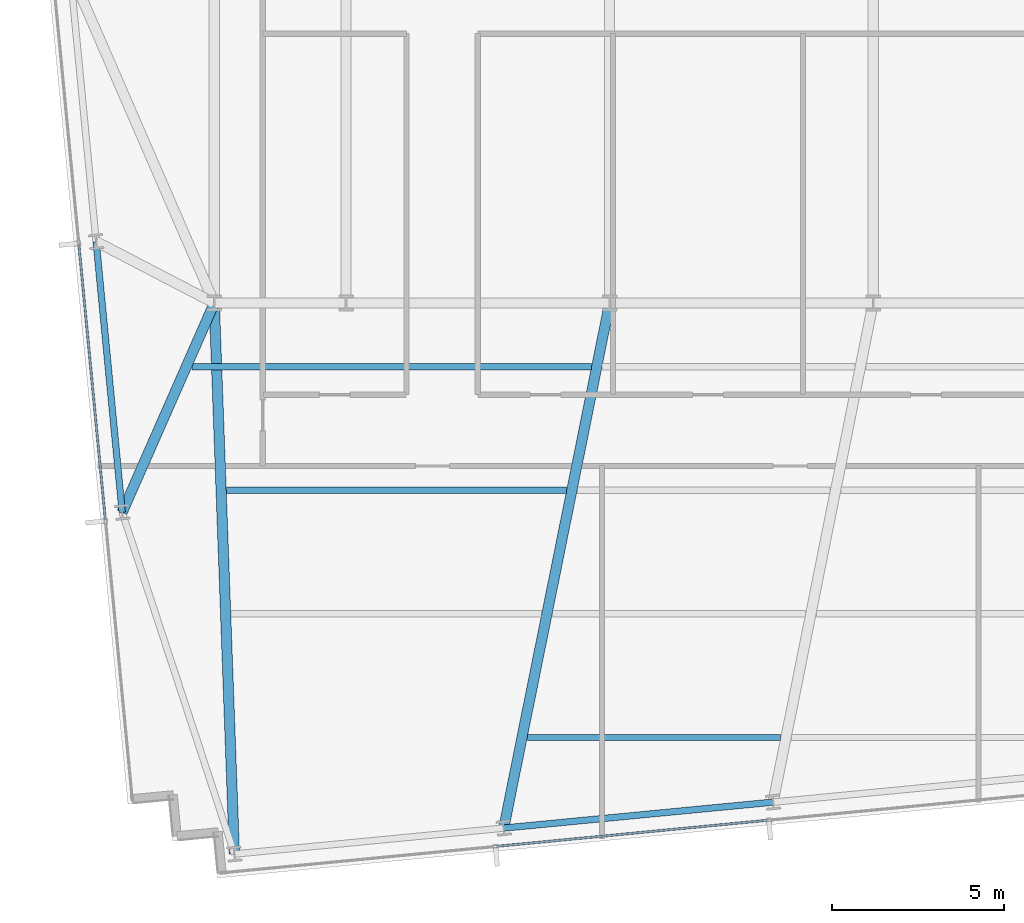
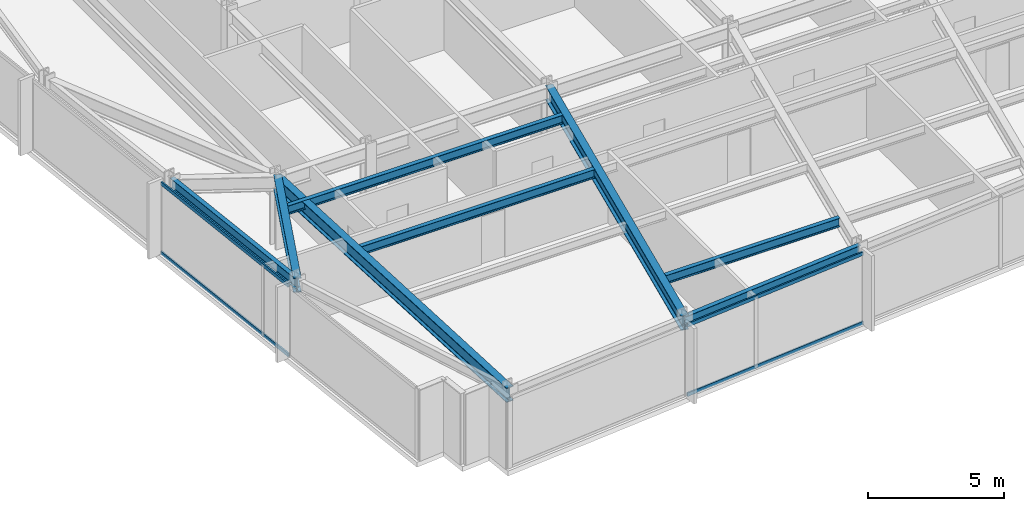
# One storey, part 3 of 33: 8 beams, 4 members, 2 elements without a shape of their own.
"""IFC4 building model written with IfcOpenShell, lengths in metres."""

import ifcopenshell
import ifcopenshell.guid

model = None  # the IFC model being written
_history = None  # IfcOwnerHistory: only IFC2X3 demands one
_inside = {}  # id of a spatial element -> (the spatial element, [elements in it])
_under = {}  # id of a project, library or spatial element -> (it, [spatial elements below it])
_declared = {}  # id of a project -> (the project, [libraries it declares])
_typed = {}  # id of a type object -> (the type object, [elements of that type])
_made_of = {}  # id of a material, layer set ... -> (it, [elements and type objects made of it])


def new_model(schema):
    """Start an empty IFC model of exactly this schema.

    Asked for "IFC4X3", IfcOpenShell would pick the latest addendum, in which some entities
    have other attributes; the version numbers below select the first issue.
    IFC2X3 requires an IfcOwnerHistory on every rooted entity: one is made here for all.
    """
    global model, _history
    if schema == "IFC4X3":
        model = ifcopenshell.file(schema_version=(4, 3, 0, 0))
    else:
        model = ifcopenshell.file(schema=schema)
    _inside.clear()
    _under.clear()
    _declared.clear()
    _typed.clear()
    _made_of.clear()
    _history = None
    if model.schema == "IFC2X3":
        org = make("IfcOrganization", Name="unknown")
        user = make(
            "IfcPersonAndOrganization",
            ThePerson=make("IfcPerson", FamilyName="unknown"),
            TheOrganization=org,
        )
        app = make(
            "IfcApplication",
            ApplicationDeveloper=org,
            Version="unknown",
            ApplicationFullName="unknown",
            ApplicationIdentifier="unknown",
        )
        _history = make(
            "IfcOwnerHistory",
            OwningUser=user,
            OwningApplication=app,
            ChangeAction="ADDED",
            CreationDate=0,
        )
    return model


def make(cls, **values):
    """One entity of the class cls with the attributes given. An attribute that is None is left unset."""
    return model.create_entity(
        cls, **{name: value for name, value in values.items() if value is not None}
    )


def rooted(cls, **values):
    """An entity with a GlobalId (a new one), such as an element, a storey or a relation."""
    return make(cls, GlobalId=ifcopenshell.guid.new(), OwnerHistory=_history, **values)


def si_unit(unit_type, name, prefix=None):
    """IfcSIUnit, for example si_unit("LENGTHUNIT", "METRE", prefix="MILLI")."""
    return make("IfcSIUnit", UnitType=unit_type, Prefix=prefix, Name=name)


def assignment(units):
    """IfcUnitAssignment: the units of a project."""
    return None if units is None else make("IfcUnitAssignment", Units=units)


def point(xyz):
    """IfcCartesianPoint."""
    return None if xyz is None else make("IfcCartesianPoint", Coordinates=xyz)


def direction(xyz):
    """IfcDirection."""
    return None if xyz is None else make("IfcDirection", DirectionRatios=xyz)


def frame(location, z_axis=None, x_axis=None):
    """IfcAxis2Placement3D, a coordinate frame: its origin and axes. An axis left out is left unset."""
    return make(
        "IfcAxis2Placement3D",
        Location=point(location),
        Axis=direction(z_axis),
        RefDirection=direction(x_axis),
    )


def frame_2d(location, x_axis=None):
    """IfcAxis2Placement2D, a coordinate frame in the plane: its origin and x axis."""
    return make(
        "IfcAxis2Placement2D", Location=point(location), RefDirection=direction(x_axis)
    )


def origin():
    """The frame at (0, 0, 0) with its axes left unset."""
    return frame((0.0, 0.0, 0.0))


def origin_2d():
    """The frame at (0, 0) in the plane with its x axis left unset."""
    return frame_2d((0.0, 0.0))


def place(relative_to, where):
    """IfcLocalPlacement: puts the frame where relative to a parent placement (None: the world)."""
    return make(
        "IfcLocalPlacement", PlacementRelTo=relative_to, RelativePlacement=where
    )


def context(
    kind, dimensions, precision=None, world=None, true_north=None, identifier=None
):
    """IfcGeometricRepresentationContext, for example the 3D "Model" context."""
    return make(
        "IfcGeometricRepresentationContext",
        ContextIdentifier=identifier,
        ContextType=kind,
        CoordinateSpaceDimension=dimensions,
        Precision=precision,
        WorldCoordinateSystem=world,
        TrueNorth=true_north,
    )


def subcontext(parent, identifier, kind, view, scale=None):
    """IfcGeometricRepresentationSubContext, for example "Body" below "Model"."""
    return make(
        "IfcGeometricRepresentationSubContext",
        ContextIdentifier=identifier,
        ContextType=kind,
        ParentContext=parent,
        TargetScale=scale,
        TargetView=view,
    )


def project(units=None, contexts=None):
    """IfcProject with its units and contexts."""
    return rooted(
        "IfcProject",
        Name="project",
        RepresentationContexts=contexts,
        UnitsInContext=assignment(units),
    )


def spatial(cls, under=None, at=None, **own):
    """A site, building, storey or space (cls), placed at a placement, below another one or the project."""
    s = rooted(cls, ObjectPlacement=at, **own)
    if under is not None:
        _under.setdefault(under.id(), (under, []))[1].append(s)
    return s


def profile(cls, at=None, kind="AREA", **sizes):
    """A parametric profile (cls). Its sizes go by their IFC names, for example OverallWidth=200.0."""
    return make(cls, ProfileType=kind, Position=at, **sizes)


def hollow_rectangle(**sizes):
    """IfcRectangleHollowProfileDef."""
    return profile("IfcRectangleHollowProfileDef", **sizes)


def i_section(**sizes):
    """IfcIShapeProfileDef."""
    return profile("IfcIShapeProfileDef", **sizes)


def extrude(swept, where, along, depth):
    """IfcExtrudedAreaSolid: the profile swept, set in the frame where, extruded along a direction by depth."""
    return make(
        "IfcExtrudedAreaSolid",
        SweptArea=swept,
        Position=where,
        ExtrudedDirection=direction(along),
        Depth=depth,
    )


def shape(context_of_items, identifier, shape_type, items):
    """IfcShapeRepresentation: the items that make up one representation, for example the "Body"."""
    return make(
        "IfcShapeRepresentation",
        ContextOfItems=context_of_items,
        RepresentationIdentifier=identifier,
        RepresentationType=shape_type,
        Items=items,
    )


def material(Name=None, Category=None):
    """IfcMaterial."""
    return make("IfcMaterial", Name=Name, Category=Category)


def material_profile(
    of_material, cross_section, Name=None, Category=None, Priority=None
):
    """IfcMaterialProfile: a cross section and its material."""
    return make(
        "IfcMaterialProfile",
        Name=Name,
        Material=of_material,
        Profile=cross_section,
        Priority=Priority,
        Category=Category,
    )


def profile_set(profiles, Name=None, composite=None):
    """IfcMaterialProfileSet."""
    return make(
        "IfcMaterialProfileSet",
        Name=Name,
        MaterialProfiles=profiles,
        CompositeProfile=composite,
    )


def made_of(thing, what):
    """Note that an element or type object is made of a material, layer set ...; save() writes the relation."""
    if what is not None:
        _made_of.setdefault(what.id(), (what, []))[1].append(thing)
    return thing


def type_object(cls, material=None, **own):
    """A type object (cls), such as IfcWallType, which elements share."""
    return made_of(rooted(cls, **own), material)


def element(
    cls,
    number,
    at=None,
    inside=None,
    cuts=None,
    type_object=None,
    material=None,
    context=None,
    identifier="Body",
    shape_type=None,
    held_by="IfcProductDefinitionShape",
    body=None,
    shapes=None,
    **own,
):
    """One element of the class cls, such as IfcWall. Its Tag is "e" and its number.

    at: its placement. inside: the storey or other place that contains it. cuts: it is an
    opening in that element (IfcRelVoidsElement). A single representation is given by context,
    identifier, shape_type and body (its items); several are given by shapes. held_by: the class
    of the entity that holds the representations. save() writes the other relations.
    """
    e = rooted(cls, Tag="e%d" % number, ObjectPlacement=at, **own)
    if body is not None:
        shapes = [shape(context, identifier, shape_type, body)]
    if shapes is not None:
        e.Representation = make(held_by, Representations=shapes)
    if inside is not None:
        _inside.setdefault(inside.id(), (inside, []))[1].append(e)
    if cuts is not None:
        rooted(
            "IfcRelVoidsElement", RelatingBuildingElement=cuts, RelatedOpeningElement=e
        )
    if type_object is not None:
        _typed.setdefault(type_object.id(), (type_object, []))[1].append(e)
    return made_of(e, material)


def aggregate(whole, parts):
    """IfcRelAggregates: a whole, such as a stair, and the parts it consists of."""
    return rooted("IfcRelAggregates", RelatingObject=whole, RelatedObjects=parts)


def save(model, path):
    """Write the relations noted so far, then the file.

    IfcRelAggregates (storeys below a building ...), IfcRelContainedInSpatialStructure (elements
    in a storey), IfcRelDefinesByType, IfcRelAssociatesMaterial and IfcRelDeclares: one each for
    every whole, place, type object, material and project.
    """
    for whole, parts in _under.values():
        aggregate(whole, parts)
    for where, things in _inside.values():
        rooted(
            "IfcRelContainedInSpatialStructure",
            RelatedElements=things,
            RelatingStructure=where,
        )
    for kind, things in _typed.values():
        rooted("IfcRelDefinesByType", RelatedObjects=things, RelatingType=kind)
    for what, things in _made_of.values():
        rooted("IfcRelAssociatesMaterial", RelatedObjects=things, RelatingMaterial=what)
    for by, libraries in _declared.values():
        rooted("IfcRelDeclares", RelatingContext=by, RelatedDefinitions=libraries)
    model.write(path)


model = new_model("IFC4")

# Units and contexts
model_context = context("Model", 3, precision=1e-05, world=origin(), true_north=direction((0.0, 1.0)))
body_context = subcontext(model_context, "Body", "Model", "MODEL_VIEW")
ifc_project = project(units=[si_unit("LENGTHUNIT", "METRE"), si_unit("AREAUNIT", "SQUARE_METRE"), si_unit("VOLUMEUNIT", "CUBIC_METRE"), si_unit("PLANEANGLEUNIT", "RADIAN"), si_unit("MASSUNIT", "GRAM", prefix="KILO")], contexts=[model_context])

# Site, building, storey
site_placement = place(None, origin())
site = spatial("IfcSite", under=ifc_project, at=site_placement, CompositionType="ELEMENT")
building_placement = place(site_placement, origin())
building = spatial("IfcBuilding", under=site, at=building_placement, Name="Yelkora Congress Tower", CompositionType="ELEMENT")
storey_placement = place(building_placement, frame((0.0, 0.0, 127.10009765625)))
storey = spatial("IfcBuildingStorey", under=building, at=storey_placement, Name="L34", CompositionType="ELEMENT", Elevation=127.10009765625)

# Beams
ifc_material_1 = material(Name="Steel S355J2", Category="steel")
ifc_material_profile_1 = material_profile(ifc_material_1, i_section(OverallWidth=0.300048828125, OverallDepth=0.64990234375, WebThickness=0.01611328125, FlangeThickness=0.031005859375, FilletRadius=0.027099609375, at=origin_2d()), Name="HEB 650")
ifc_profile_set_1 = profile_set([ifc_material_profile_1], Name="Steel S355J2")
beam_type_1 = type_object("IfcBeamType", Name="BM-GIRD-HEB650", PredefinedType="BEAM", material=ifc_profile_set_1)
beam_1_placement = place(storey_placement, frame((19.785888671875, 9.144287109375, 2.85498046875), z_axis=(-0.03646985294, 0.999334753637, 0.0), x_axis=(-0.999334753637, -0.03646985294, 0.0)))
element("IfcBeam", 1, at=beam_1_placement, inside=storey, type_object=beam_type_1, Name="L34 Primary Frame Girder S01", PredefinedType="BEAM", context=body_context, shape_type="SweptSolid", body=[
    extrude(i_section(OverallWidth=0.300048828125, OverallDepth=0.64990234375, WebThickness=0.01611328125, FlangeThickness=0.031005859375, FilletRadius=0.027099609375, at=origin_2d()), origin(), (0.0, 0.0, 1.0), 16.06640625),
])
beam_2_placement = place(storey_placement, frame((27.635498046875, 9.900146484375, 2.85498046875), z_axis=(0.197625995154, 0.980277494406, 0.0), x_axis=(-0.980277494406, 0.197625995154, 0.0)))
element("IfcBeam", 2, at=beam_2_placement, inside=storey, type_object=beam_type_1, Name="L34 Primary Frame Girder S02", PredefinedType="BEAM", context=body_context, shape_type="SweptSolid", body=[
    extrude(i_section(OverallWidth=0.300048828125, OverallDepth=0.64990234375, WebThickness=0.01611328125, FlangeThickness=0.031005859375, FilletRadius=0.027099609375, at=origin_2d()), origin(), (0.0, 0.0, 1.0), 15.607666015625),
])
beam_3_placement = place(storey_placement, frame((16.5166015625, 19.101806640625, 2.85498046875), z_axis=(0.402759490709, 0.915305846504, 0.0), x_axis=(-0.915305846504, 0.402759490709, 0.0)))
element("IfcBeam", 3, at=beam_3_placement, inside=storey, type_object=beam_type_1, Name="L34 Primary Frame Girder W01", PredefinedType="BEAM", context=body_context, shape_type="SweptSolid", body=[
    extrude(i_section(OverallWidth=0.300048828125, OverallDepth=0.64990234375, WebThickness=0.01611328125, FlangeThickness=0.031005859375, FilletRadius=0.027099609375, at=origin_2d()), origin(), (0.0, 0.0, 1.0), 6.662353515625),
])
ifc_material_profile_2 = material_profile(ifc_material_1, i_section(OverallWidth=0.179931640625, OverallDepth=0.39990234375, WebThickness=0.008544921875, FlangeThickness=0.013427734375, FilletRadius=0.02099609375, at=origin_2d()), Name="IPE 400")
ifc_profile_set_2 = profile_set([ifc_material_profile_2], Name="Steel S355J2")
beam_type_2 = type_object("IfcBeamType", Name="BM-JOIST-IPE400", PredefinedType="JOIST", material=ifc_profile_set_2)
beam_4_placement = place(storey_placement, frame((28.32861328125, 12.54443359375, 2.97998046875), z_axis=(1.0, 0.0, 0.0), x_axis=(0.0, 1.0, 0.0)))
element("IfcBeam", 4, at=beam_4_placement, inside=storey, type_object=beam_type_2, Name="L34 Composite Floor Joist 1", PredefinedType="JOIST", context=body_context, shape_type="SweptSolid", body=[
    extrude(i_section(OverallWidth=0.179931640625, OverallDepth=0.39990234375, WebThickness=0.008544921875, FlangeThickness=0.013427734375, FilletRadius=0.02099609375, at=origin_2d()), origin(), (0.0, 0.0, 1.0), 7.374755859375),
])
beam_5_placement = place(storey_placement, frame((19.55908203125, 19.744384765625, 2.97998046875), z_axis=(1.0, 0.0, 0.0), x_axis=(0.0, 1.0, 0.0)))
element("IfcBeam", 5, at=beam_5_placement, inside=storey, type_object=beam_type_2, Name="L34 Composite Floor Joist 11", PredefinedType="JOIST", context=body_context, shape_type="SweptSolid", body=[
    extrude(i_section(OverallWidth=0.179931640625, OverallDepth=0.39990234375, WebThickness=0.008544921875, FlangeThickness=0.013427734375, FilletRadius=0.02099609375, at=origin_2d()), origin(), (0.0, 0.0, 1.0), 9.901123046875),
])
beam_6_placement = place(storey_placement, frame((18.54345703125, 23.344482421875, 2.97998046875), z_axis=(1.0, 0.0, 0.0), x_axis=(0.0, 1.0, 0.0)))
element("IfcBeam", 6, at=beam_6_placement, inside=storey, type_object=beam_type_2, Name="L34 Composite Floor Joist 18", PredefinedType="JOIST", context=body_context, shape_type="SweptSolid", body=[
    extrude(i_section(OverallWidth=0.179931640625, OverallDepth=0.39990234375, WebThickness=0.008544921875, FlangeThickness=0.013427734375, FilletRadius=0.02099609375, at=origin_2d()), origin(), (0.0, 0.0, 1.0), 11.642333984375),
])
ifc_material_profile_3 = material_profile(ifc_material_1, i_section(OverallWidth=0.18994140625, OverallDepth=0.449951171875, WebThickness=0.009521484375, FlangeThickness=0.0146484375, FilletRadius=0.02099609375, at=origin_2d()), Name="IPE 450")
ifc_profile_set_3 = profile_set([ifc_material_profile_3], Name="Steel S355J2")
beam_type_3 = type_object("IfcBeamType", Name="BM-SPAN-IPE450", PredefinedType="SPANDREL", material=ifc_profile_set_3)
beam_7_placement = place(storey_placement, frame((15.757080078125, 26.990478515625, 2.954833984375), z_axis=(0.09583684824, -0.995397055712, 0.0), x_axis=(0.995397055712, 0.09583684824, 0.0)))
element("IfcBeam", 7, at=beam_7_placement, inside=storey, type_object=beam_type_3, Name="L34 Perimeter Beam 1", PredefinedType="SPANDREL", context=body_context, shape_type="SweptSolid", body=[
    extrude(i_section(OverallWidth=0.18994140625, OverallDepth=0.449951171875, WebThickness=0.009521484375, FlangeThickness=0.0146484375, FilletRadius=0.02099609375, at=origin_2d()), origin(), (0.0, 0.0, 1.0), 7.925048828125),
])
beam_8_placement = place(storey_placement, frame((27.635498046875, 9.900146484375, 2.954833984375), z_axis=(0.995395575667, 0.095852219286, 0.0), x_axis=(-0.095852219286, 0.995395575667, 0.0)))
element("IfcBeam", 8, at=beam_8_placement, inside=storey, type_object=beam_type_3, Name="L34 Perimeter Beam 4", PredefinedType="SPANDREL", context=body_context, shape_type="SweptSolid", body=[
    extrude(i_section(OverallWidth=0.18994140625, OverallDepth=0.449951171875, WebThickness=0.009521484375, FlangeThickness=0.0146484375, FilletRadius=0.02099609375, at=origin_2d()), origin(), (0.0, 0.0, 1.0), 7.8857421875),
])

# Curtain wall, members
ifc_material_2 = material(Name="Anodised aluminium and insulated glass", Category="aluminium")
curtain_wall_type = type_object("IfcCurtainWallType", Name="CW-SYS-B2", PredefinedType="NOTDEFINED", material=ifc_material_2)
curtain_wall_1_placement = place(storey_placement, origin())
curtain_wall_1 = element("IfcCurtainWall", 9, at=curtain_wall_1_placement, inside=storey, type_object=curtain_wall_type, Name="L34 Unitised Curtain Wall 5", PredefinedType="NOTDEFINED")
ifc_material_3 = material(Name="Anodised aluminium 6063-T6", Category="aluminium")
ifc_material_profile_4 = material_profile(ifc_material_3, hollow_rectangle(XDim=0.06494140625, YDim=0.159912109375, WallThickness=0.00390625, at=origin_2d()), Name="ALU 65x160x4")
ifc_profile_set_4 = profile_set([ifc_material_profile_4], Name="Anodised aluminium 6063-T6")
member_type = type_object("IfcMemberType", Name="MEM-TR-B2", PredefinedType="USERDEFINED", material=ifc_profile_set_4)
member_1_placement = place(storey_placement, frame((16.025146484375, 18.8837890625, 0.032470703125), z_axis=(-0.095838228465, 0.995396922823, 0.0), x_axis=(-0.995396922823, -0.095838228465, 0.0)))
member_1 = element("IfcMember", 10, at=member_1_placement, type_object=member_type, Name="CW-B2 transom 2.1", ObjectType="TRANSOM", PredefinedType="USERDEFINED", context=body_context, shape_type="SweptSolid", body=[
    extrude(hollow_rectangle(XDim=0.06494140625, YDim=0.159912109375, WallThickness=0.00390625, at=origin_2d()), origin(), (0.0, 0.0, 1.0), 8.06005859375),
])
member_2_placement = place(storey_placement, frame((16.025146484375, 18.8837890625, 3.1474609375), z_axis=(-0.095838228465, 0.995396922823, 0.0), x_axis=(-0.995396922823, -0.095838228465, 0.0)))
member_2 = element("IfcMember", 11, at=member_2_placement, type_object=member_type, Name="CW-B2 transom 2.2", ObjectType="TRANSOM", PredefinedType="USERDEFINED", context=body_context, shape_type="SweptSolid", body=[
    extrude(hollow_rectangle(XDim=0.06494140625, YDim=0.159912109375, WallThickness=0.00390625, at=origin_2d()), origin(), (0.0, 0.0, 1.0), 8.06005859375),
])
aggregate(curtain_wall_1, [member_1, member_2])

curtain_wall_2_placement = place(storey_placement, origin())
curtain_wall_2 = element("IfcCurtainWall", 12, at=curtain_wall_2_placement, inside=storey, type_object=curtain_wall_type, Name="L34 Unitised Curtain Wall 20", PredefinedType="NOTDEFINED")
member_3_placement = place(storey_placement, frame((35.323974609375, 10.128173828125, 0.032470703125), z_axis=(-0.995397293396, -0.095834379534, 0.0), x_axis=(0.095834379534, -0.995397293396, 0.0)))
member_3 = element("IfcMember", 13, at=member_3_placement, type_object=member_type, Name="CW-B2 transom 6.1", ObjectType="TRANSOM", PredefinedType="USERDEFINED", context=body_context, shape_type="SweptSolid", body=[
    extrude(hollow_rectangle(XDim=0.06494140625, YDim=0.159912109375, WallThickness=0.00390625, at=origin_2d()), origin(), (0.0, 0.0, 1.0), 7.93310546875),
])
member_4_placement = place(storey_placement, frame((35.323974609375, 10.128173828125, 3.1474609375), z_axis=(-0.995397293396, -0.095834379534, 0.0), x_axis=(0.095834379534, -0.995397293396, 0.0)))
member_4 = element("IfcMember", 14, at=member_4_placement, type_object=member_type, Name="CW-B2 transom 6.2", ObjectType="TRANSOM", PredefinedType="USERDEFINED", context=body_context, shape_type="SweptSolid", body=[
    extrude(hollow_rectangle(XDim=0.06494140625, YDim=0.159912109375, WallThickness=0.00390625, at=origin_2d()), origin(), (0.0, 0.0, 1.0), 7.93310546875),
])
aggregate(curtain_wall_2, [member_3, member_4])

save(model, "model.ifc")
